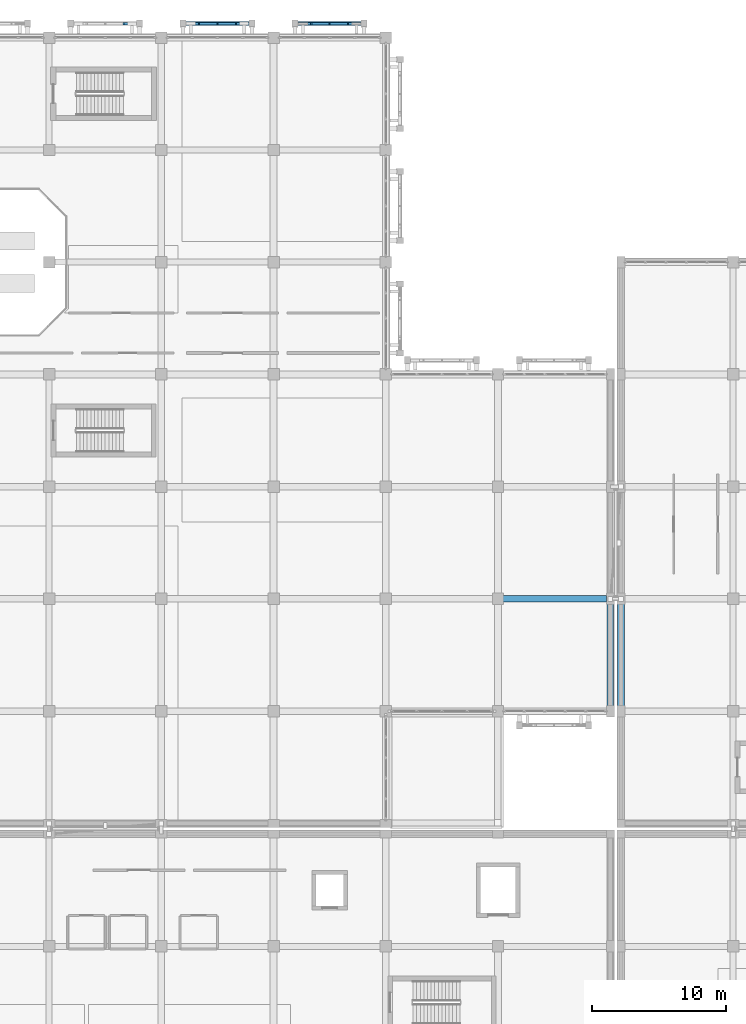
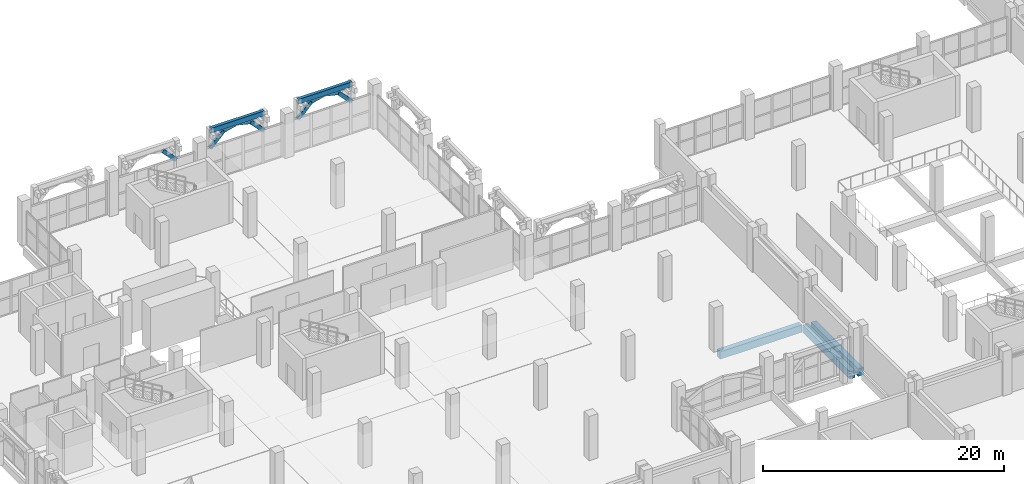
# One storey, part 62 of 137: 9 members, 5 beams.
"""IFC4 building model written with IfcOpenShell, lengths in metres."""

from ifc_helpers import new_model, si_unit, direction, frame, origin, origin_2d, place, context, subcontext, project, spatial, rectangle, extrude, material, material_profile, profile_set, type_object, element, save


model = new_model("IFC4")

# Units and contexts
model_context = context("Model", 3, precision=1e-05, world=origin(), true_north=direction((0.0, 1.0)))
body_context = subcontext(model_context, "Body", "Model", "MODEL_VIEW")
ifc_project = project(units=[si_unit("LENGTHUNIT", "METRE"), si_unit("AREAUNIT", "SQUARE_METRE"), si_unit("VOLUMEUNIT", "CUBIC_METRE"), si_unit("PLANEANGLEUNIT", "RADIAN"), si_unit("MASSUNIT", "GRAM", prefix="KILO")], contexts=[model_context])

# Site, building, storey
site_placement = place(None, origin())
site = spatial("IfcSite", under=ifc_project, at=site_placement, CompositionType="ELEMENT")
building_placement = place(site_placement, origin())
building = spatial("IfcBuilding", under=site, at=building_placement, Name="Xazarin Passage Department Store", CompositionType="ELEMENT")
storey_placement = place(building_placement, frame((0.0, 0.0, 5.39990234375)))
storey = spatial("IfcBuildingStorey", under=building, at=storey_placement, Name="L01", CompositionType="ELEMENT", Elevation=5.39990234375)

# Beams
ifc_material_1 = material(Name="Concrete C35/45", Category="concrete")
ifc_material_profile_1 = material_profile(ifc_material_1, rectangle(XDim=0.300048828125, YDim=0.5, at=origin_2d()), Name="RC 300x500")
ifc_profile_set_1 = profile_set([ifc_material_profile_1], Name="Concrete C35/45")
beam_type_1 = type_object("IfcBeamType", Name="STR-BM-LN300x500", PredefinedType="LINTEL", material=ifc_profile_set_1)
for number, where, z_axis, x_axis, name in (
    (1, (35.219970703125, 111.050048828125, 4.25), (1.0, 0.0, 0.0), (0.0, 1.0, 0.0), "L01 V1 Colonnade Spandrel Beam 003"),
    (2, (43.6201171875, 111.050048828125, 4.25), (1.0, 0.0, 0.0), (0.0, 1.0, 0.0), "L01 V1 Colonnade Spandrel Beam 004"),
):
    element("IfcBeam", number, at=place(storey_placement, frame(where, z_axis=z_axis, x_axis=x_axis)), inside=storey, type_object=beam_type_1, Name=name, PredefinedType="LINTEL", context=body_context, shape_type="SweptSolid", body=[
        extrude(rectangle(XDim=0.300048828125, YDim=0.5, at=origin_2d()), origin(), (0.0, 0.0, 1.0), 5.159912109375),
    ])
ifc_material_profile_2 = material_profile(ifc_material_1, rectangle(XDim=0.5, YDim=0.75, at=origin_2d()), Name="RC 500x750")
ifc_profile_set_2 = profile_set([ifc_material_profile_2], Name="Concrete C35/45")
beam_type_2 = type_object("IfcBeamType", Name="STR-BM-SP500x750", PredefinedType="SPANDREL", material=ifc_profile_set_2)
beam_placement = place(storey_placement, frame((59.080078125, 68.0, -0.6748046875), z_axis=(1.0, 0.0, 0.0), x_axis=(0.0, 1.0, 0.0)))
element("IfcBeam", 3, at=beam_placement, inside=storey, type_object=beam_type_2, Name="L01 Grid Beam K/8-9", PredefinedType="SPANDREL", context=body_context, shape_type="SweptSolid", body=[
    extrude(rectangle(XDim=0.5, YDim=0.75, at=origin_2d()), origin(), (0.0, 0.0, 1.0), 7.83984375),
])
for number, where, z_axis, x_axis, name in (
    (4, (67.199951171875, 59.8798828125, -0.6748046875), (0.0, 1.0, 0.0), (-1.0, 0.0, 0.0), "L01 Grid Beam 9/J-K"),
    (5, (68.0, 59.8798828125, -0.6748046875), (0.0, 1.0, 0.0), (-1.0, 0.0, 0.0), "L01 Grid Beam 10/J-K"),
):
    element("IfcBeam", number, at=place(storey_placement, frame(where, z_axis=z_axis, x_axis=x_axis)), inside=storey, type_object=beam_type_2, Name=name, PredefinedType="SPANDREL", context=body_context, shape_type="SweptSolid", body=[
        extrude(rectangle(XDim=0.5, YDim=0.75, at=origin_2d()), origin(), (0.0, 0.0, 1.0), 7.840087890625),
    ])

# Members
ifc_material_2 = material(Name="Concrete C40/50", Category="concrete")
ifc_material_profile_3 = material_profile(ifc_material_2, rectangle(XDim=0.199951171875, YDim=0.360107421875, at=origin_2d()), Name="RC 200x360")
ifc_profile_set_3 = profile_set([ifc_material_profile_3], Name="Concrete C40/50")
member_type = type_object("IfcMemberType", Name="STR-MEM-ARC360", PredefinedType="CHORD", material=ifc_profile_set_3)
for number, where, z_axis, x_axis, name in (
    (6, (30.68994140625, 111.050048828125, 3.7705078125), (0.693460080602, 0.0, -0.720495049679), (0.0, 1.0, 0.0), "L01 V1 Pierced Lattice Curved Arch 002.4"),
    (7, (35.219970703125, 111.050048828125, 2.43017578125), (0.693460080602, 0.0, 0.720495049679), (0.0, 1.0, 0.0), "L01 V1 Pierced Lattice Curved Arch 003.1"),
):
    element("IfcMember", number, at=place(storey_placement, frame(where, z_axis=z_axis, x_axis=x_axis)), inside=storey, type_object=member_type, Name=name, PredefinedType="CHORD", context=body_context, shape_type="SweptSolid", body=[
        extrude(rectangle(XDim=0.199951171875, YDim=0.360107421875, at=origin_2d()), origin(), (0.0, 0.0, 1.0), 1.8603515625),
    ])
for number, where, z_axis, x_axis, name in (
    (8, (36.510009765625, 111.050048828125, 3.7705078125), (0.972393983317, 0.0, 0.233345111818), (0.0, 1.0, 0.0), "L01 V1 Pierced Lattice Curved Arch 003.2"),
    (9, (37.800048828125, 111.050048828125, 4.080078125), (0.972393983317, 0.0, -0.233345111818), (0.0, 1.0, 0.0), "L01 V1 Pierced Lattice Curved Arch 003.3"),
):
    element("IfcMember", number, at=place(storey_placement, frame(where, z_axis=z_axis, x_axis=x_axis)), inside=storey, type_object=member_type, Name=name, PredefinedType="CHORD", context=body_context, shape_type="SweptSolid", body=[
        extrude(rectangle(XDim=0.199951171875, YDim=0.360107421875, at=origin_2d()), origin(), (0.0, 0.0, 1.0), 1.32666015625),
    ])
for number, where, z_axis, x_axis, name in (
    (10, (39.090087890625, 111.050048828125, 3.7705078125), (0.693391944082, 0.0, -0.720560623322), (0.0, 1.0, 0.0), "L01 V1 Pierced Lattice Curved Arch 003.4"),
    (11, (43.6201171875, 111.050048828125, 2.43017578125), (0.693391944082, 0.0, 0.720560623322), (0.0, 1.0, 0.0), "L01 V1 Pierced Lattice Curved Arch 004.1"),
):
    element("IfcMember", number, at=place(storey_placement, frame(where, z_axis=z_axis, x_axis=x_axis)), inside=storey, type_object=member_type, Name=name, PredefinedType="CHORD", context=body_context, shape_type="SweptSolid", body=[
        extrude(rectangle(XDim=0.199951171875, YDim=0.360107421875, at=origin_2d()), origin(), (0.0, 0.0, 1.0), 1.860107421875),
    ])
for number, where, z_axis, x_axis, name in (
    (12, (44.909912109375, 111.050048828125, 3.7705078125), (0.972393983317, 0.0, 0.233345111818), (0.0, 1.0, 0.0), "L01 V1 Pierced Lattice Curved Arch 004.2"),
    (13, (46.199951171875, 111.050048828125, 4.080078125), (0.972393983317, 0.0, -0.233345111818), (0.0, 1.0, 0.0), "L01 V1 Pierced Lattice Curved Arch 004.3"),
):
    element("IfcMember", number, at=place(storey_placement, frame(where, z_axis=z_axis, x_axis=x_axis)), inside=storey, type_object=member_type, Name=name, PredefinedType="CHORD", context=body_context, shape_type="SweptSolid", body=[
        extrude(rectangle(XDim=0.199951171875, YDim=0.360107421875, at=origin_2d()), origin(), (0.0, 0.0, 1.0), 1.32666015625),
    ])
member_placement = place(storey_placement, frame((47.489990234375, 111.050048828125, 3.7705078125), z_axis=(0.693460080602, 0.0, -0.720495049679), x_axis=(0.0, 1.0, 0.0)))
element("IfcMember", 14, at=member_placement, inside=storey, type_object=member_type, Name="L01 V1 Pierced Lattice Curved Arch 004.4", PredefinedType="CHORD", context=body_context, shape_type="SweptSolid", body=[
    extrude(rectangle(XDim=0.199951171875, YDim=0.360107421875, at=origin_2d()), origin(), (0.0, 0.0, 1.0), 1.8603515625),
])

save(model, "model.ifc")
